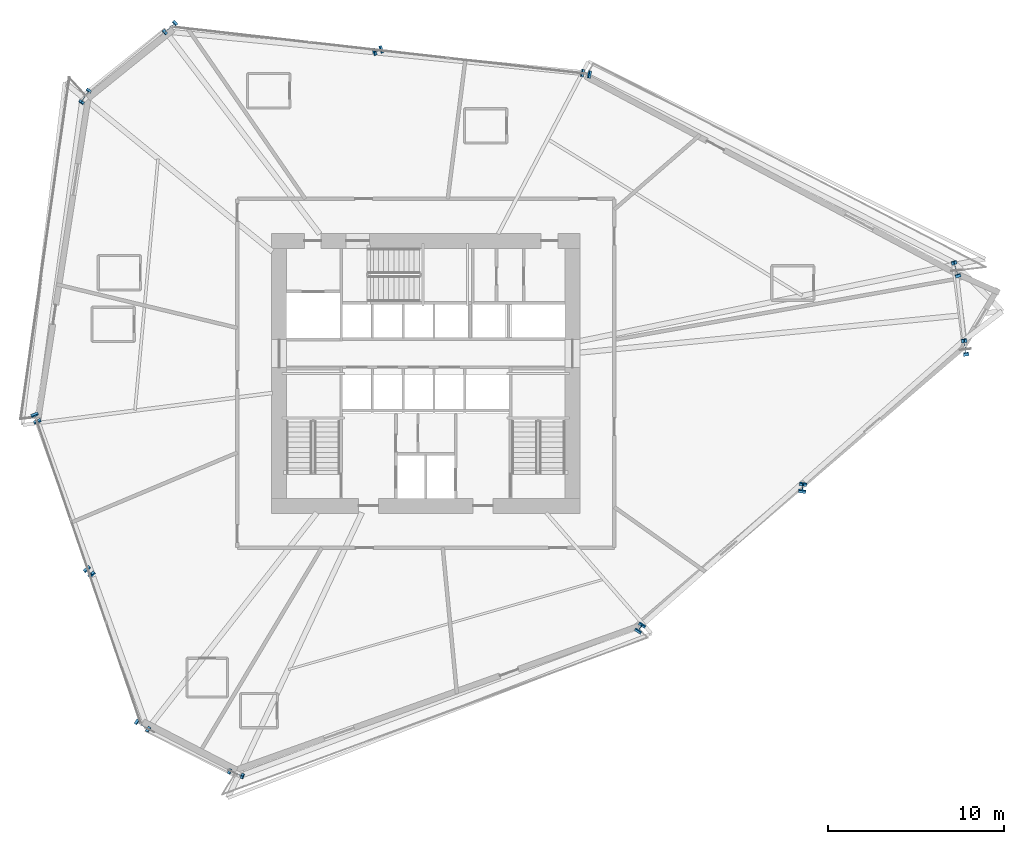
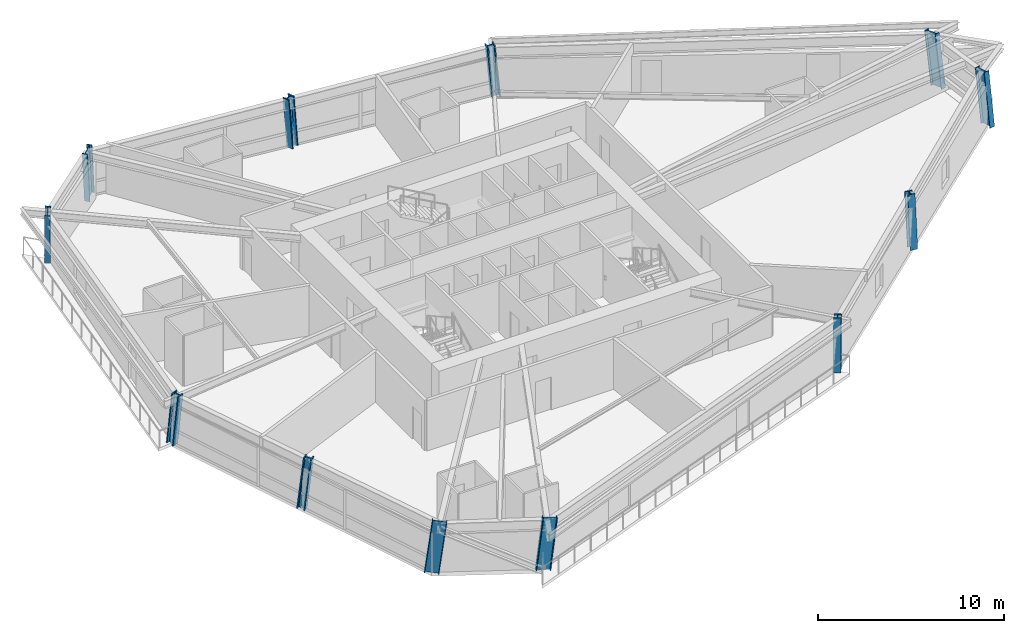
# One storey, part 1 of 22: 12 columns.
"""IFC4 building model written with IfcOpenShell, lengths in metres."""

from ifc_helpers import new_model, si_unit, direction, frame, origin, origin_2d, place, context, subcontext, project, spatial, i_section, extrude, source, transform, mapped, material, material_profile, profile_set, type_object, element, save


model = new_model("IFC4")

# Units and contexts
model_context = context("Model", 3, precision=1e-05, world=origin(), true_north=direction((0.0, 1.0)))
body_context = subcontext(model_context, "Body", "Model", "MODEL_VIEW")
ifc_project = project(units=[si_unit("LENGTHUNIT", "METRE"), si_unit("AREAUNIT", "SQUARE_METRE"), si_unit("VOLUMEUNIT", "CUBIC_METRE"), si_unit("PLANEANGLEUNIT", "RADIAN"), si_unit("MASSUNIT", "GRAM", prefix="KILO")], contexts=[model_context])

# Site, building, storey
site_placement = place(None, origin())
site = spatial("IfcSite", under=ifc_project, at=site_placement, CompositionType="ELEMENT")
building_placement = place(site_placement, origin())
building = spatial("IfcBuilding", under=site, at=building_placement, Name="Olszyna Solenne Hotel", CompositionType="ELEMENT")
storey_placement = place(building_placement, frame((0.0, 0.0, 61.25)))
storey = spatial("IfcBuildingStorey", under=building, at=storey_placement, Name="L15", CompositionType="ELEMENT", Elevation=61.25)

# Columns
ifc_material = material(Name="Steel S460M", Category="steel")
ifc_material_profile_1 = material_profile(ifc_material, i_section(OverallWidth=0.424072265625, OverallDepth=0.47412109375, WebThickness=0.04296875, FlangeThickness=0.068115234375, at=origin_2d()), Name="HD 400x634", Category="load-bearing")
ifc_profile_set_1 = profile_set([ifc_material_profile_1], Name="Steel S460M")
column_type_1 = type_object("IfcColumnType", Name="COL-T1", PredefinedType="COLUMN", material=ifc_profile_set_1)
shared_shape_1 = source(origin(), body_context, "Body", "SweptSolid", [
    extrude(i_section(OverallWidth=0.424072265625, OverallDepth=0.47412109375, WebThickness=0.04296875, FlangeThickness=0.068115234375, at=origin_2d()), origin(), (0.0, 0.0, 1.0), 3.39990234375),
])
column_1_placement = place(storey_placement, frame((35.336181640625, 44.936279296875, 0.0), z_axis=(-0.088823484201, -0.030373754096, 0.995584162046), x_axis=(0.323561533003, -0.946207130792, 0.0)))
element("IfcColumn", 1, at=column_1_placement, inside=storey, type_object=column_type_1, Name="Perimeter framed-tube column COL-T1 C-L15-04", PredefinedType="COLUMN", context=body_context, shape_type="MappedRepresentation", body=[
    mapped(shared_shape_1, transform((0.0, 0.0, 0.0), x_axis=(1.0, 0.0, 0.0), y_axis=(0.0, 1.0, 0.0), z_axis=(0.0, 0.0, 1.0), scale=1.0)),
])
shared_shape_2 = source(origin(), body_context, "Body", "SweptSolid", [
    extrude(i_section(OverallWidth=0.424072265625, OverallDepth=0.47412109375, WebThickness=0.04296875, FlangeThickness=0.068115234375, at=origin_2d()), origin(), (0.0, 0.0, 1.0), 3.406494140625),
])
column_2_placement = place(storey_placement, frame((59.379638671875, 20.03564453125, 0.0), z_axis=(0.015265903074, 0.110874892278, 0.993717117929), x_axis=(-0.990653978425, 0.136399028704, 0.0)))
element("IfcColumn", 2, at=column_2_placement, inside=storey, type_object=column_type_1, Name="Perimeter framed-tube column COL-T1 C-L15-12", PredefinedType="COLUMN", context=body_context, shape_type="MappedRepresentation", body=[
    mapped(shared_shape_2, transform((0.0, 0.0, 0.0), x_axis=(1.0, 0.0, 0.0), y_axis=(0.0, 1.0, 0.0), z_axis=(0.0, 0.0, 1.0), scale=1.0)),
])
ifc_material_profile_2 = material_profile(ifc_material, i_section(OverallWidth=0.30810546875, OverallDepth=0.81396484375, WebThickness=0.02099609375, FlangeThickness=0.0400390625, at=origin_2d()), Name="HEM 800", Category="load-bearing")
ifc_profile_set_2 = profile_set([ifc_material_profile_2], Name="Steel S460M")
column_type_2 = type_object("IfcColumnType", Name="COL-K1", PredefinedType="COLUMN", material=ifc_profile_set_2)
shared_shape_3 = source(origin(), body_context, "Body", "SweptSolid", [
    extrude(i_section(OverallWidth=0.30810546875, OverallDepth=0.81396484375, WebThickness=0.02099609375, FlangeThickness=0.0400390625, at=origin_2d()), origin(), (0.0, 0.0, 1.0), 3.412109375),
])
column_3_placement = place(storey_placement, frame((21.855712890625, 6.645751953125, 0.0), z_axis=(0.104897816751, -0.068906273896, 0.992092925818), x_axis=(0.549029983711, 0.835802654331, 0.0)))
element("IfcColumn", 3, at=column_3_placement, inside=storey, type_object=column_type_2, Name="Perimeter framed-tube column COL-K1 C-L15-09", PredefinedType="COLUMN", context=body_context, shape_type="MappedRepresentation", body=[
    mapped(shared_shape_3, transform((0.0, 0.0, 0.0), x_axis=(1.0, 0.0, 0.0), y_axis=(0.0, 1.0, 0.0), z_axis=(0.0, 0.0, 1.0), scale=1.0)),
])
shared_shape_4 = source(origin(), body_context, "Body", "SweptSolid", [
    extrude(i_section(OverallWidth=0.30810546875, OverallDepth=0.81396484375, WebThickness=0.02099609375, FlangeThickness=0.0400390625, at=origin_2d()), origin(), (0.0, 0.0, 1.0), 3.4091796875),
])
column_4_placement = place(storey_placement, frame((23.52734375, 46.2744140625, 0.0), z_axis=(-0.088944570663, -0.078632156673, 0.99292791646), x_axis=(0.662339568737, -0.749203774473, 0.0)))
element("IfcColumn", 4, at=column_4_placement, inside=storey, type_object=column_type_2, Name="Perimeter framed-tube column COL-K1 C-L15-05", PredefinedType="COLUMN", context=body_context, shape_type="MappedRepresentation", body=[
    mapped(shared_shape_4, transform((0.0, 0.0, 0.0), x_axis=(1.0, 0.0, 0.0), y_axis=(0.0, 1.0, 0.0), z_axis=(0.0, 0.0, 1.0), scale=1.0)),
])
shared_shape_5 = source(origin(), body_context, "Body", "SweptSolid", [
    extrude(i_section(OverallWidth=0.30810546875, OverallDepth=0.81396484375, WebThickness=0.02099609375, FlangeThickness=0.0400390625, at=origin_2d()), origin(), (0.0, 0.0, 1.0), 3.406005859375),
])
column_5_placement = place(storey_placement, frame((27.163818359375, 3.894287109375, 0.0), z_axis=(0.10408048476, -0.037704087454, 0.993853940215), x_axis=(0.340599003824, 0.940208656945, 0.0)))
element("IfcColumn", 5, at=column_5_placement, inside=storey, type_object=column_type_2, Name="Perimeter framed-tube column COL-K1 C-L15-10", PredefinedType="COLUMN", context=body_context, shape_type="MappedRepresentation", body=[
    mapped(shared_shape_5, transform((0.0, 0.0, 0.0), x_axis=(1.0, 0.0, 0.0), y_axis=(0.0, 1.0, 0.0), z_axis=(0.0, 0.0, 1.0), scale=1.0)),
])
shared_shape_6 = source(origin(), body_context, "Body", "SweptSolid", [
    extrude(i_section(OverallWidth=0.30810546875, OverallDepth=0.81396484375, WebThickness=0.02099609375, FlangeThickness=0.0400390625, at=origin_2d()), origin(), (0.0, 0.0, 1.0), 3.421630859375),
])
column_6_placement = place(storey_placement, frame((68.629638671875, 27.979248046875, 0.0), z_axis=(-0.020977686151, 0.144346459468, 0.989304824775), x_axis=(-0.989604168183, -0.143817906795, 0.0)))
element("IfcColumn", 6, at=column_6_placement, inside=storey, type_object=column_type_2, Name="Perimeter framed-tube column COL-K1 C-L15-01", PredefinedType="COLUMN", context=body_context, shape_type="MappedRepresentation", body=[
    mapped(shared_shape_6, transform((0.0, 0.0, 0.0), x_axis=(1.0, 0.0, 0.0), y_axis=(0.0, 1.0, 0.0), z_axis=(0.0, 0.0, 1.0), scale=1.0)),
])
shared_shape_7 = source(origin(), body_context, "Body", "SweptSolid", [
    extrude(i_section(OverallWidth=0.30810546875, OverallDepth=0.81396484375, WebThickness=0.02099609375, FlangeThickness=0.0400390625, at=origin_2d()), origin(), (0.0, 0.0, 1.0), 3.417236328125),
])
column_7_placement = place(storey_placement, frame((68.12646484375, 32.42919921875, 0.0), z_axis=(-0.04000901182, 0.130958069047, 0.990580265867), x_axis=(-0.95636372102, -0.292178769106, 0.0)))
element("IfcColumn", 7, at=column_7_placement, inside=storey, type_object=column_type_2, Name="Perimeter framed-tube column COL-K1 C-L15-02", PredefinedType="COLUMN", context=body_context, shape_type="MappedRepresentation", body=[
    mapped(shared_shape_7, transform((0.0, 0.0, 0.0), x_axis=(1.0, 0.0, 0.0), y_axis=(0.0, 1.0, 0.0), z_axis=(0.0, 0.0, 1.0), scale=1.0)),
])
shared_shape_8 = source(origin(), body_context, "Body", "SweptSolid", [
    extrude(i_section(OverallWidth=0.30810546875, OverallDepth=0.81396484375, WebThickness=0.02099609375, FlangeThickness=0.0400390625, at=origin_2d()), origin(), (0.0, 0.0, 1.0), 3.405029296875),
])
column_8_placement = place(storey_placement, frame((18.697265625, 42.376708984375, 0.0), z_axis=(-0.058937346962, -0.090843818249, 0.994119605389), x_axis=(0.838912262551, -0.544266677045, 0.0)))
element("IfcColumn", 8, at=column_8_placement, inside=storey, type_object=column_type_2, Name="Perimeter framed-tube column COL-K1 C-L15-06", PredefinedType="COLUMN", context=body_context, shape_type="MappedRepresentation", body=[
    mapped(shared_shape_8, transform((0.0, 0.0, 0.0), x_axis=(1.0, 0.0, 0.0), y_axis=(0.0, 1.0, 0.0), z_axis=(0.0, 0.0, 1.0), scale=1.0)),
])
shared_shape_9 = source(origin(), body_context, "Body", "SweptSolid", [
    extrude(i_section(OverallWidth=0.424072265625, OverallDepth=0.47412109375, WebThickness=0.04296875, FlangeThickness=0.068115234375, at=origin_2d()), origin(), (0.0, 0.0, 1.0), 3.406005859375),
])
column_9_placement = place(storey_placement, frame((18.8515625, 15.3828125, 0.0), z_axis=(0.072396399294, -0.083936815419, 0.993837699218), x_axis=(0.757244521665, 0.653131483247, 0.0)))
element("IfcColumn", 9, at=column_9_placement, inside=storey, type_object=column_type_1, Name="Perimeter framed-tube column COL-T1 C-L15-08", PredefinedType="COLUMN", context=body_context, shape_type="MappedRepresentation", body=[
    mapped(shared_shape_9, transform((0.0, 0.0, 0.0), x_axis=(1.0, 0.0, 0.0), y_axis=(0.0, 1.0, 0.0), z_axis=(0.0, 0.0, 1.0), scale=1.0)),
])
shared_shape_10 = source(origin(), body_context, "Body", "SweptSolid", [
    extrude(i_section(OverallWidth=0.424072265625, OverallDepth=0.47412109375, WebThickness=0.04296875, FlangeThickness=0.068115234375, at=origin_2d()), origin(), (0.0, 0.0, 1.0), 3.399658203125),
])
column_10_placement = place(storey_placement, frame((50.1298828125, 12.092041015625, 0.0), z_axis=(0.051634204665, 0.076912702637, 0.995699927228), x_axis=(-0.830257005704, 0.557380753596, 0.0)))
element("IfcColumn", 10, at=column_10_placement, inside=storey, type_object=column_type_1, Name="Perimeter framed-tube column COL-T1 C-L15-11", PredefinedType="COLUMN", context=body_context, shape_type="MappedRepresentation", body=[
    mapped(shared_shape_10, transform((0.0, 0.0, 0.0), x_axis=(1.0, 0.0, 0.0), y_axis=(0.0, 1.0, 0.0), z_axis=(0.0, 0.0, 1.0), scale=1.0)),
])
shared_shape_11 = source(origin(), body_context, "Body", "SweptSolid", [
    extrude(i_section(OverallWidth=0.424072265625, OverallDepth=0.47412109375, WebThickness=0.04296875, FlangeThickness=0.068115234375, at=origin_2d()), origin(), (0.0, 0.0, 1.0), 3.39892578125),
])
column_11_placement = place(storey_placement, frame((47.14501953125, 43.59814453125, 0.0), z_axis=(-0.088564876449, 0.018100850661, 0.995905930229), x_axis=(-0.200240228048, -0.97974683009, 0.0)))
element("IfcColumn", 11, at=column_11_placement, inside=storey, type_object=column_type_1, Name="Perimeter framed-tube column COL-T1 C-L15-03", PredefinedType="COLUMN", context=body_context, shape_type="MappedRepresentation", body=[
    mapped(shared_shape_11, transform((0.0, 0.0, 0.0), x_axis=(1.0, 0.0, 0.0), y_axis=(0.0, 1.0, 0.0), z_axis=(0.0, 0.0, 1.0), scale=1.0)),
])
shared_shape_12 = source(origin(), body_context, "Body", "SweptSolid", [
    extrude(i_section(OverallWidth=0.424072265625, OverallDepth=0.47412109375, WebThickness=0.04296875, FlangeThickness=0.068115234375, at=origin_2d()), origin(), (0.0, 0.0, 1.0), 3.404296875),
])
column_12_placement = place(storey_placement, frame((15.847412109375, 24.119873046875, 0.0), z_axis=(0.039800759955, -0.0988923387, 0.994301868073), x_axis=(0.92768588672, 0.373361615033, 0.0)))
element("IfcColumn", 12, at=column_12_placement, inside=storey, type_object=column_type_1, Name="Perimeter framed-tube column COL-T1 C-L15-07", PredefinedType="COLUMN", context=body_context, shape_type="MappedRepresentation", body=[
    mapped(shared_shape_12, transform((0.0, 0.0, 0.0), x_axis=(1.0, 0.0, 0.0), y_axis=(0.0, 1.0, 0.0), z_axis=(0.0, 0.0, 1.0), scale=1.0)),
])

save(model, "model.ifc")
